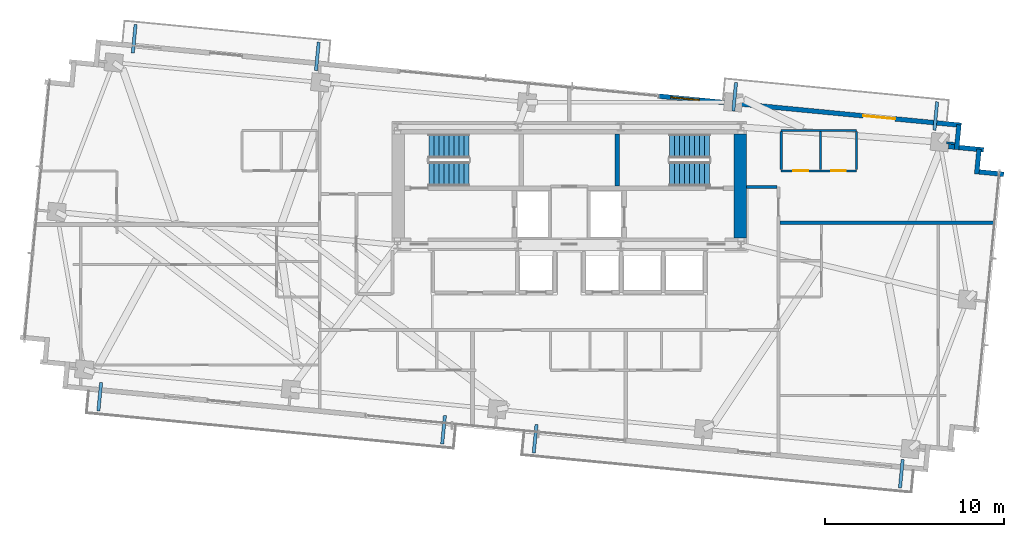
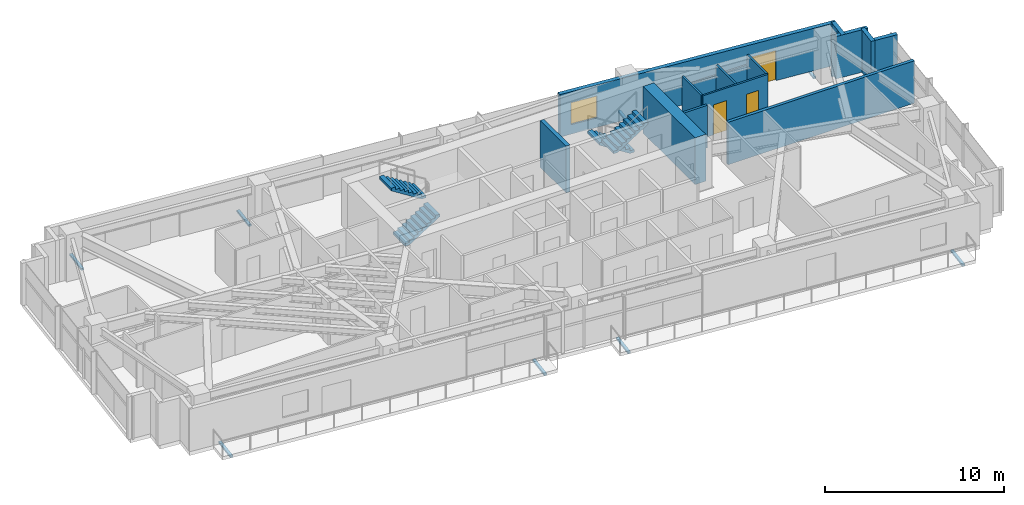
# One storey, part 18 of 20: 15 walls, 8 discrete accessories, 4 stair flights, 3 doors, 1 window, 4 openings, 2 elements without a shape of their own.
"""IFC4 building model written with IfcOpenShell, lengths in metres."""

import ifcopenshell
import ifcopenshell.guid

model = None  # the IFC model being written
_history = None  # IfcOwnerHistory: only IFC2X3 demands one
_inside = {}  # id of a spatial element -> (the spatial element, [elements in it])
_under = {}  # id of a project, library or spatial element -> (it, [spatial elements below it])
_declared = {}  # id of a project -> (the project, [libraries it declares])
_typed = {}  # id of a type object -> (the type object, [elements of that type])
_made_of = {}  # id of a material, layer set ... -> (it, [elements and type objects made of it])


def new_model(schema):
    """Start an empty IFC model of exactly this schema.

    Asked for "IFC4X3", IfcOpenShell would pick the latest addendum, in which some entities
    have other attributes; the version numbers below select the first issue.
    IFC2X3 requires an IfcOwnerHistory on every rooted entity: one is made here for all.
    """
    global model, _history
    if schema == "IFC4X3":
        model = ifcopenshell.file(schema_version=(4, 3, 0, 0))
    else:
        model = ifcopenshell.file(schema=schema)
    _inside.clear()
    _under.clear()
    _declared.clear()
    _typed.clear()
    _made_of.clear()
    _history = None
    if model.schema == "IFC2X3":
        org = make("IfcOrganization", Name="unknown")
        user = make(
            "IfcPersonAndOrganization",
            ThePerson=make("IfcPerson", FamilyName="unknown"),
            TheOrganization=org,
        )
        app = make(
            "IfcApplication",
            ApplicationDeveloper=org,
            Version="unknown",
            ApplicationFullName="unknown",
            ApplicationIdentifier="unknown",
        )
        _history = make(
            "IfcOwnerHistory",
            OwningUser=user,
            OwningApplication=app,
            ChangeAction="ADDED",
            CreationDate=0,
        )
    return model


def make(cls, **values):
    """One entity of the class cls with the attributes given. An attribute that is None is left unset."""
    return model.create_entity(
        cls, **{name: value for name, value in values.items() if value is not None}
    )


def rooted(cls, **values):
    """An entity with a GlobalId (a new one), such as an element, a storey or a relation."""
    return make(cls, GlobalId=ifcopenshell.guid.new(), OwnerHistory=_history, **values)


def si_unit(unit_type, name, prefix=None):
    """IfcSIUnit, for example si_unit("LENGTHUNIT", "METRE", prefix="MILLI")."""
    return make("IfcSIUnit", UnitType=unit_type, Prefix=prefix, Name=name)


def assignment(units):
    """IfcUnitAssignment: the units of a project."""
    return None if units is None else make("IfcUnitAssignment", Units=units)


def point(xyz):
    """IfcCartesianPoint."""
    return None if xyz is None else make("IfcCartesianPoint", Coordinates=xyz)


def direction(xyz):
    """IfcDirection."""
    return None if xyz is None else make("IfcDirection", DirectionRatios=xyz)


def frame(location, z_axis=None, x_axis=None):
    """IfcAxis2Placement3D, a coordinate frame: its origin and axes. An axis left out is left unset."""
    return make(
        "IfcAxis2Placement3D",
        Location=point(location),
        Axis=direction(z_axis),
        RefDirection=direction(x_axis),
    )


def frame_2d(location, x_axis=None):
    """IfcAxis2Placement2D, a coordinate frame in the plane: its origin and x axis."""
    return make(
        "IfcAxis2Placement2D", Location=point(location), RefDirection=direction(x_axis)
    )


def origin():
    """The frame at (0, 0, 0) with its axes left unset."""
    return frame((0.0, 0.0, 0.0))


def origin_2d():
    """The frame at (0, 0) in the plane with its x axis left unset."""
    return frame_2d((0.0, 0.0))


def place(relative_to, where):
    """IfcLocalPlacement: puts the frame where relative to a parent placement (None: the world)."""
    return make(
        "IfcLocalPlacement", PlacementRelTo=relative_to, RelativePlacement=where
    )


def context(
    kind, dimensions, precision=None, world=None, true_north=None, identifier=None
):
    """IfcGeometricRepresentationContext, for example the 3D "Model" context."""
    return make(
        "IfcGeometricRepresentationContext",
        ContextIdentifier=identifier,
        ContextType=kind,
        CoordinateSpaceDimension=dimensions,
        Precision=precision,
        WorldCoordinateSystem=world,
        TrueNorth=true_north,
    )


def subcontext(parent, identifier, kind, view, scale=None):
    """IfcGeometricRepresentationSubContext, for example "Body" below "Model"."""
    return make(
        "IfcGeometricRepresentationSubContext",
        ContextIdentifier=identifier,
        ContextType=kind,
        ParentContext=parent,
        TargetScale=scale,
        TargetView=view,
    )


def project(units=None, contexts=None):
    """IfcProject with its units and contexts."""
    return rooted(
        "IfcProject",
        Name="project",
        RepresentationContexts=contexts,
        UnitsInContext=assignment(units),
    )


def spatial(cls, under=None, at=None, **own):
    """A site, building, storey or space (cls), placed at a placement, below another one or the project."""
    s = rooted(cls, ObjectPlacement=at, **own)
    if under is not None:
        _under.setdefault(under.id(), (under, []))[1].append(s)
    return s


def polyline(points):
    """IfcPolyline through the points."""
    return make("IfcPolyline", Points=[point(p) for p in points])


def profile(cls, at=None, kind="AREA", **sizes):
    """A parametric profile (cls). Its sizes go by their IFC names, for example OverallWidth=200.0."""
    return make(cls, ProfileType=kind, Position=at, **sizes)


def rectangle(**sizes):
    """IfcRectangleProfileDef."""
    return profile("IfcRectangleProfileDef", **sizes)


def outline(outer, holes=None, kind="AREA"):
    """IfcArbitraryClosedProfileDef: a profile drawn as a closed curve; with holes, ...WithVoids."""
    if holes is None:
        return make("IfcArbitraryClosedProfileDef", ProfileType=kind, OuterCurve=outer)
    return make(
        "IfcArbitraryProfileDefWithVoids",
        ProfileType=kind,
        OuterCurve=outer,
        InnerCurves=holes,
    )


def extrude(swept, where, along, depth):
    """IfcExtrudedAreaSolid: the profile swept, set in the frame where, extruded along a direction by depth."""
    return make(
        "IfcExtrudedAreaSolid",
        SweptArea=swept,
        Position=where,
        ExtrudedDirection=direction(along),
        Depth=depth,
    )


def shape(context_of_items, identifier, shape_type, items):
    """IfcShapeRepresentation: the items that make up one representation, for example the "Body"."""
    return make(
        "IfcShapeRepresentation",
        ContextOfItems=context_of_items,
        RepresentationIdentifier=identifier,
        RepresentationType=shape_type,
        Items=items,
    )


def source(mapping_origin, context_of_items, identifier, shape_type, items):
    """IfcRepresentationMap: a shape defined once, which mapped items show again and again."""
    return make(
        "IfcRepresentationMap",
        MappingOrigin=mapping_origin,
        MappedRepresentation=shape(context_of_items, identifier, shape_type, items),
    )


def transform(
    local_origin,
    x_axis=None,
    y_axis=None,
    z_axis=None,
    scale=None,
    scale2=None,
    scale3=None,
    uniform=True,
):
    """IfcCartesianTransformationOperator3D, or its non-uniform kind. x_axis, y_axis, z_axis: its Axis1, 2, 3."""
    if uniform:
        return make(
            "IfcCartesianTransformationOperator3D",
            Axis1=direction(x_axis),
            Axis2=direction(y_axis),
            LocalOrigin=point(local_origin),
            Scale=scale,
            Axis3=direction(z_axis),
        )
    return make(
        "IfcCartesianTransformationOperator3DnonUniform",
        Axis1=direction(x_axis),
        Axis2=direction(y_axis),
        LocalOrigin=point(local_origin),
        Scale=scale,
        Axis3=direction(z_axis),
        Scale2=scale2,
        Scale3=scale3,
    )


def mapped(mapping_source, mapping_target):
    """IfcMappedItem: shows the shape of a source again, moved by a transform."""
    return make(
        "IfcMappedItem", MappingSource=mapping_source, MappingTarget=mapping_target
    )


def material(Name=None, Category=None):
    """IfcMaterial."""
    return make("IfcMaterial", Name=Name, Category=Category)


def layer(
    of_material, thickness, ventilated=None, Name=None, Category=None, Priority=None
):
    """IfcMaterialLayer: one layer of a wall or slab, of a material (None: an air gap)."""
    return make(
        "IfcMaterialLayer",
        Material=of_material,
        LayerThickness=thickness,
        IsVentilated=ventilated,
        Name=Name,
        Category=Category,
        Priority=Priority,
    )


def layer_set(layers, Name=None):
    """IfcMaterialLayerSet."""
    return make("IfcMaterialLayerSet", MaterialLayers=layers, LayerSetName=Name)


def made_of(thing, what):
    """Note that an element or type object is made of a material, layer set ...; save() writes the relation."""
    if what is not None:
        _made_of.setdefault(what.id(), (what, []))[1].append(thing)
    return thing


def type_object(cls, material=None, **own):
    """A type object (cls), such as IfcWallType, which elements share."""
    return made_of(rooted(cls, **own), material)


def type_shapes(of_type, sources):
    """Give a type object the sources (RepresentationMaps) that its elements show as mapped items."""
    of_type.RepresentationMaps = sources


def element(
    cls,
    number,
    at=None,
    inside=None,
    cuts=None,
    type_object=None,
    material=None,
    context=None,
    identifier="Body",
    shape_type=None,
    held_by="IfcProductDefinitionShape",
    body=None,
    shapes=None,
    **own,
):
    """One element of the class cls, such as IfcWall. Its Tag is "e" and its number.

    at: its placement. inside: the storey or other place that contains it. cuts: it is an
    opening in that element (IfcRelVoidsElement). A single representation is given by context,
    identifier, shape_type and body (its items); several are given by shapes. held_by: the class
    of the entity that holds the representations. save() writes the other relations.
    """
    e = rooted(cls, Tag="e%d" % number, ObjectPlacement=at, **own)
    if body is not None:
        shapes = [shape(context, identifier, shape_type, body)]
    if shapes is not None:
        e.Representation = make(held_by, Representations=shapes)
    if inside is not None:
        _inside.setdefault(inside.id(), (inside, []))[1].append(e)
    if cuts is not None:
        rooted(
            "IfcRelVoidsElement", RelatingBuildingElement=cuts, RelatedOpeningElement=e
        )
    if type_object is not None:
        _typed.setdefault(type_object.id(), (type_object, []))[1].append(e)
    return made_of(e, material)


def fill(opening, filler):
    """IfcRelFillsElement: the door or window that sits in an opening."""
    return rooted(
        "IfcRelFillsElement",
        RelatingOpeningElement=opening,
        RelatedBuildingElement=filler,
    )


def aggregate(whole, parts):
    """IfcRelAggregates: a whole, such as a stair, and the parts it consists of."""
    return rooted("IfcRelAggregates", RelatingObject=whole, RelatedObjects=parts)


def save(model, path):
    """Write the relations noted so far, then the file.

    IfcRelAggregates (storeys below a building ...), IfcRelContainedInSpatialStructure (elements
    in a storey), IfcRelDefinesByType, IfcRelAssociatesMaterial and IfcRelDeclares: one each for
    every whole, place, type object, material and project.
    """
    for whole, parts in _under.values():
        aggregate(whole, parts)
    for where, things in _inside.values():
        rooted(
            "IfcRelContainedInSpatialStructure",
            RelatedElements=things,
            RelatingStructure=where,
        )
    for kind, things in _typed.values():
        rooted("IfcRelDefinesByType", RelatedObjects=things, RelatingType=kind)
    for what, things in _made_of.values():
        rooted("IfcRelAssociatesMaterial", RelatedObjects=things, RelatingMaterial=what)
    for by, libraries in _declared.values():
        rooted("IfcRelDeclares", RelatingContext=by, RelatedDefinitions=libraries)
    model.write(path)


model = new_model("IFC4")

# Units and contexts
model_context = context("Model", 3, precision=1e-05, world=origin(), true_north=direction((0.0, 1.0)))
body_context = subcontext(model_context, "Body", "Model", "MODEL_VIEW")
ifc_project = project(units=[si_unit("LENGTHUNIT", "METRE"), si_unit("AREAUNIT", "SQUARE_METRE"), si_unit("VOLUMEUNIT", "CUBIC_METRE"), si_unit("PLANEANGLEUNIT", "RADIAN"), si_unit("MASSUNIT", "GRAM", prefix="KILO")], contexts=[model_context])

# Site, building, storey
site_placement = place(None, origin())
site = spatial("IfcSite", under=ifc_project, at=site_placement, CompositionType="ELEMENT")
building_placement = place(site_placement, origin())
building = spatial("IfcBuilding", under=site, at=building_placement, Name="Astriad Promenade Condominiums", CompositionType="ELEMENT")
storey_placement = place(building_placement, frame((0.0, 0.0, 159.800048828125)))
storey = spatial("IfcBuildingStorey", under=building, at=storey_placement, Name="L46", CompositionType="ELEMENT", Elevation=159.800048828125)

# Walls
ifc_material_1 = material(Name="Concrete C60/75", Category="concrete")
ifc_layer_1 = layer(ifc_material_1, 0.699951171875)
ifc_layer_set_1 = layer_set([ifc_layer_1], Name="Concrete C60/75")
wall_type_1 = type_object("IfcWallType", Name="CW-SHEAR-700", PredefinedType="SHEAR", material=ifc_layer_set_1)
wall_1_placement = place(storey_placement, frame((45.550048828125, 17.802001953125, 0.0), z_axis=(0.0, 0.0, 1.0), x_axis=(0.0, 1.0, 0.0)))
element("IfcWall", 1, at=wall_1_placement, inside=storey, type_object=wall_type_1, Name="CW-CORE-E-L46", PredefinedType="SHEAR", context=body_context, shape_type="SweptSolid", body=[
    extrude(rectangle(XDim=5.7958984375, YDim=0.699951171875, at=frame_2d((2.89794921875, 0.0))), origin(), (0.0, 0.0, 1.0), 3.199951171875),
])
ifc_material_2 = material(Name="Concrete C50/60", Category="concrete")
ifc_layer_2 = layer(ifc_material_2, 0.25)
ifc_layer_set_2 = layer_set([ifc_layer_2], Name="Concrete C50/60")
wall_type_2 = type_object("IfcWallType", Name="WALL-CORE-INT-250", PredefinedType="SOLIDWALL", material=ifc_layer_set_2)
wall_2_placement = place(storey_placement, frame((38.675048828125, 20.701904296875, 0.0), z_axis=(0.0, 0.0, 1.0), x_axis=(0.0, 1.0, 0.0)))
element("IfcWall", 2, at=wall_2_placement, inside=storey, type_object=wall_type_2, Name="CW-ST2-W-L46", PredefinedType="SOLIDWALL", context=body_context, shape_type="SweptSolid", body=[
    extrude(rectangle(XDim=2.89599609375, YDim=0.25, at=frame_2d((1.447998046875, 0.0))), origin(), (0.0, 0.0, 1.0), 3.199951171875),
])
ifc_material_3 = material(Name="Fire-Rated Gypsum Partition")
ifc_layer_3 = layer(ifc_material_3, 0.159912109375)
ifc_layer_set_3 = layer_set([ifc_layer_3], Name="Fire-Rated Gypsum Partition")
wall_type_3 = type_object("IfcWallType", Name="WALL-CORR-160", PredefinedType="PARTITIONING", material=ifc_layer_set_3)
wall_3_placement = place(storey_placement, frame((45.902099609375, 20.64990234375, 0.0), z_axis=(0.0, 0.0, 1.0), x_axis=(1.0, 0.0, 0.0)))
element("IfcWall", 3, at=wall_3_placement, inside=storey, type_object=wall_type_3, Name="PT-Z3E-N-L46", PredefinedType="PARTITIONING", context=body_context, shape_type="SweptSolid", body=[
    extrude(rectangle(XDim=1.7158203125, YDim=0.159912109375, at=frame_2d((0.85791015625, 0.0))), origin(), (0.0, 0.0, 1.0), 2.89990234375),
])
ifc_material_4 = material(Name="Acoustic Double-Stud Gypsum Partition")
ifc_layer_4 = layer(ifc_material_4, 0.199951171875)
ifc_layer_set_4 = layer_set([ifc_layer_4], Name="Acoustic Double-Stud Gypsum Partition")
wall_type_4 = type_object("IfcWallType", Name="WALL-DEMISING-200", PredefinedType="PARTITIONING", material=ifc_layer_set_4)
wall_4_placement = place(storey_placement, frame((47.781982421875, 18.64990234375, 0.0), z_axis=(0.0, 0.0, 1.0), x_axis=(1.0, 0.0, 0.0)))
element("IfcWall", 4, at=wall_4_placement, inside=storey, type_object=wall_type_4, Name="PT-DEM-EE-L46", PredefinedType="PARTITIONING", context=body_context, shape_type="SweptSolid", body=[
    extrude(rectangle(XDim=12.039794921875, YDim=0.199951171875, at=frame_2d((6.02001953125, 0.0))), origin(), (0.0, 0.0, 1.0), 2.89990234375),
])

# Wall, openings, door, window
ifc_material_5 = material(Name="Precast concrete C50/60", Category="concrete")
ifc_layer_5 = layer(ifc_material_5, 0.260009765625)
ifc_layer_set_5 = layer_set([ifc_layer_5], Name="Precast concrete C50/60")
wall_type_5 = type_object("IfcWallType", Name="WALL-EXT-TWR-260", PredefinedType="STANDARD", material=ifc_layer_set_5)
wall_5_placement = place(storey_placement, frame((40.9833984375, 25.726806640625, 0.0), z_axis=(0.0, 0.0, 1.0), x_axis=(0.995395844771, -0.095849424686, 0.0)))
wall_5 = element("IfcWall", 5, at=wall_5_placement, inside=storey, type_object=wall_type_5, Name="W-EXT-L46-N2", PredefinedType="STANDARD", context=body_context, shape_type="SweptSolid", body=[
    extrude(rectangle(XDim=17.009765625, YDim=0.260009765625, at=frame_2d((8.5048828125, 0.0))), origin(), (0.0, 0.0, 1.0), 2.89990234375),
])
opening_1_placement = place(wall_5_placement, frame((11.5, 0.0, 0.0)))
opening_1 = element("IfcOpeningElement", 6, at=opening_1_placement, cuts=wall_5, Name="Opening BD-1822-SLD", PredefinedType="OPENING", context=body_context, shape_type="SweptSolid", body=[
    extrude(rectangle(XDim=1.800048828125, YDim=2.06005859375, at=frame_2d((0.89990234375, 1.030029296875))), frame((0.0, 0.139892578125, 0.0), z_axis=(0.0, -1.0, 0.0), x_axis=(1.0, 0.0, 0.0)), (0.0, 0.0, 1.0), 0.280029296875),
])
opening_2_placement = place(wall_5_placement, frame((0.699951171875, 0.0, 0.64990234375)))
opening_2 = element("IfcOpeningElement", 7, at=opening_2_placement, cuts=wall_5, Name="Opening WIN-TWR-1620", PredefinedType="OPENING", context=body_context, shape_type="SweptSolid", body=[
    extrude(rectangle(XDim=1.60009765625, YDim=1.5, at=frame_2d((0.800048828125, 0.75))), frame((0.0, 0.139892578125, 0.0), z_axis=(0.0, -1.0, 0.0), x_axis=(1.0, 0.0, 0.0)), (0.0, 0.0, 1.0), 0.280029296875),
])
ifc_material_6 = material(Name="Thermally Broken Aluminium Sliding Balcony Door", Category="aluminium")
door_type_1 = type_object("IfcDoorType", Name="BD-1822-SLD", OperationType="NOTDEFINED", PredefinedType="DOOR", material=ifc_material_6)
shared_shape_1 = source(origin(), body_context, "Body", "SweptSolid", [
    extrude(rectangle(XDim=1.800048828125, YDim=2.06005859375, at=frame_2d((0.89990234375, 1.030029296875))), frame((0.0, 0.02490234375, 0.0), z_axis=(0.0, -1.0, 0.0), x_axis=(1.0, 0.0, 0.0)), (0.0, 0.0, 1.0), 0.050048828125),
])
type_shapes(door_type_1, [shared_shape_1])
door_1_placement = place(opening_1_placement, origin())
door_1 = element("IfcDoor", 8, at=door_1_placement, inside=storey, type_object=door_type_1, Name="BD-L46-NE", OperationType="SLIDING_TO_RIGHT", OverallHeight=2.06005859375, OverallWidth=1.800048828125, PredefinedType="DOOR", context=body_context, shape_type="MappedRepresentation", body=[
    mapped(shared_shape_1, transform((0.0, 0.0, 0.0), scale=1.0)),
])
fill(opening_1, door_1)
ifc_material_7 = material(Name="Dark Tinted Triple-Glazed Aluminium Window", Category="aluminium")
window_type = type_object("IfcWindowType", Name="WIN-TWR-1620", PartitioningType="SINGLE_PANEL", PredefinedType="WINDOW", material=ifc_material_7)
shared_shape_2 = source(origin(), body_context, "Body", "SweptSolid", [
    extrude(rectangle(XDim=1.60009765625, YDim=1.5, at=frame_2d((0.800048828125, 0.75))), frame((0.0, 0.030029296875, 0.0), z_axis=(0.0, -1.0, 0.0), x_axis=(1.0, 0.0, 0.0)), (0.0, 0.0, 1.0), 0.06005859375),
])
type_shapes(window_type, [shared_shape_2])
window_placement = place(opening_2_placement, origin())
window = element("IfcWindow", 9, at=window_placement, inside=storey, type_object=window_type, Name="WIN-L46-NE", OverallHeight=1.5, OverallWidth=1.60009765625, PartitioningType="SINGLE_PANEL", PredefinedType="WINDOW", context=body_context, shape_type="MappedRepresentation", body=[
    mapped(shared_shape_2, transform((0.0, 0.0, 0.0), scale=1.0)),
])
fill(opening_2, window)

# Walls
wall_6_placement = place(storey_placement, frame((57.787109375, 24.123779296875, 0.0), z_axis=(0.0, 0.0, 1.0), x_axis=(-0.095915846097, -0.995389446633, 0.0)))
element("IfcWall", 10, at=wall_6_placement, inside=storey, type_object=wall_type_5, Name="W-SER-L46-09", PredefinedType="STANDARD", context=body_context, shape_type="SweptSolid", body=[
    extrude(rectangle(XDim=1.394775390625, YDim=0.260009765625, at=frame_2d((0.697265625, 0.0))), origin(), (0.0, 0.0, 1.0), 2.89990234375),
])
wall_7_placement = place(storey_placement, frame((57.199951171875, 22.909423828125, 0.0), z_axis=(0.0, 0.0, 1.0), x_axis=(0.995401789159, -0.095787672171, 0.0)))
element("IfcWall", 11, at=wall_7_placement, inside=storey, type_object=wall_type_5, Name="W-SER-L46-10", PredefinedType="STANDARD", context=body_context, shape_type="SweptSolid", body=[
    extrude(rectangle(XDim=1.977783203125, YDim=0.260009765625, at=frame_2d((0.98876953125, 0.0))), origin(), (0.0, 0.0, 1.0), 2.89990234375),
])
for number, where, z_axis, x_axis, name in (
    (12, (58.91162109375, 22.759765625, 0.0), (0.0, 0.0, 1.0), (-0.096072523012, -0.995374336781, 0.0), "W-SER-L46-11"),
    (13, (58.904541015625, 21.489501953125, 0.0), (0.0, 0.0, 1.0), (0.995391056452, -0.09589913835, 0.0), "W-SER-L46-12"),
):
    element("IfcWall", number, at=place(storey_placement, frame(where, z_axis=z_axis, x_axis=x_axis)), inside=storey, type_object=wall_type_5, Name=name, PredefinedType="STANDARD", context=body_context, shape_type="SweptSolid", body=[
        extrude(rectangle(XDim=1.39501953125, YDim=0.260009765625, at=frame_2d((0.697509765625, 0.0))), origin(), (0.0, 0.0, 1.0), 2.89990234375),
    ])

# Wall, openings, doors
ifc_material_8 = material(Name="Acoustic Metal-Stud Gypsum Partition")
ifc_layer_6 = layer(ifc_material_8, 0.1201171875)
ifc_layer_set_6 = layer_set([ifc_layer_6], Name="Acoustic Metal-Stud Gypsum Partition")
wall_type_6 = type_object("IfcWallType", Name="WALL-PART-120", PredefinedType="PARTITIONING", material=ifc_layer_set_6)
wall_8_placement = place(storey_placement, frame((47.85009765625, 21.550048828125, 0.0), z_axis=(0.0, 0.0, 1.0), x_axis=(1.0, 0.0, 0.0)))
wall_8 = element("IfcWall", 14, at=wall_8_placement, inside=storey, type_object=wall_type_6, Name="PT-L46-E2-PH", PredefinedType="PARTITIONING", context=body_context, shape_type="SweptSolid", body=[
    extrude(rectangle(XDim=4.199951171875, YDim=0.1201171875, at=frame_2d((2.10009765625, 0.0))), origin(), (0.0, 0.0, 1.0), 2.89990234375),
])
opening_3_placement = place(wall_8_placement, frame((0.675048828125, 0.0, 0.0)))
opening_3 = element("IfcOpeningElement", 15, at=opening_3_placement, cuts=wall_8, Name="Opening D-INT-085", PredefinedType="OPENING", context=body_context, shape_type="SweptSolid", body=[
    extrude(rectangle(XDim=0.85009765625, YDim=2.050048828125, at=frame_2d((0.425048828125, 1.02490234375))), frame((0.0, 0.070068359375, 0.0), z_axis=(0.0, -1.0, 0.0), x_axis=(1.0, 0.0, 0.0)), (0.0, 0.0, 1.0), 0.14013671875),
])
opening_4_placement = place(wall_8_placement, frame((2.800048828125, 0.0, 0.0)))
opening_4 = element("IfcOpeningElement", 16, at=opening_4_placement, cuts=wall_8, Name="Opening D-WET-080", PredefinedType="OPENING", context=body_context, shape_type="SweptSolid", body=[
    extrude(rectangle(XDim=0.800048828125, YDim=2.02001953125, at=frame_2d((0.39990234375, 1.010009765625))), frame((0.0, 0.070068359375, 0.0), z_axis=(0.0, -1.0, 0.0), x_axis=(1.0, 0.0, 0.0)), (0.0, 0.0, 1.0), 0.14013671875),
])
ifc_material_9 = material(Name="Moisture-Resistant Timber Bathroom Door", Category="wood")
door_type_2 = type_object("IfcDoorType", Name="D-WET-080", OperationType="NOTDEFINED", PredefinedType="DOOR", material=ifc_material_9)
shared_shape_3 = source(origin(), body_context, "Body", "SweptSolid", [
    extrude(rectangle(XDim=0.800048828125, YDim=2.02001953125, at=frame_2d((0.39990234375, 1.010009765625))), frame((0.0, 0.02490234375, 0.0), z_axis=(0.0, -1.0, 0.0), x_axis=(1.0, 0.0, 0.0)), (0.0, 0.0, 1.0), 0.050048828125),
])
type_shapes(door_type_2, [shared_shape_3])
door_2_placement = place(opening_4_placement, origin())
door_2 = element("IfcDoor", 17, at=door_2_placement, inside=storey, type_object=door_type_2, Name="D-BTH-L46-E2", OperationType="SINGLE_SWING_RIGHT", OverallHeight=2.02001953125, OverallWidth=0.800048828125, PredefinedType="DOOR", context=body_context, shape_type="MappedRepresentation", body=[
    mapped(shared_shape_3, transform((0.0, 0.0, 0.0), scale=1.0)),
])
fill(opening_4, door_2)
ifc_material_10 = material(Name="Painted Solid-Core Timber Room Door", Category="wood")
door_type_3 = type_object("IfcDoorType", Name="D-INT-085", OperationType="NOTDEFINED", PredefinedType="DOOR", material=ifc_material_10)
shared_shape_4 = source(origin(), body_context, "Body", "SweptSolid", [
    extrude(rectangle(XDim=0.85009765625, YDim=2.050048828125, at=frame_2d((0.425048828125, 1.02490234375))), frame((0.0, 0.02490234375, 0.0), z_axis=(0.0, -1.0, 0.0), x_axis=(1.0, 0.0, 0.0)), (0.0, 0.0, 1.0), 0.050048828125),
])
type_shapes(door_type_3, [shared_shape_4])
door_3_placement = place(opening_3_placement, origin())
door_3 = element("IfcDoor", 18, at=door_3_placement, inside=storey, type_object=door_type_3, Name="D-KIT-L46-E2", OperationType="SINGLE_SWING_LEFT", OverallHeight=2.050048828125, OverallWidth=0.85009765625, PredefinedType="DOOR", context=body_context, shape_type="MappedRepresentation", body=[
    mapped(shared_shape_4, transform((0.0, 0.0, 0.0), scale=1.0)),
])
fill(opening_3, door_3)

# Walls
wall_9_placement = place(storey_placement, frame((47.85009765625, 23.800048828125, 0.0), z_axis=(0.0, 0.0, 1.0), x_axis=(1.0, 0.0, 0.0)))
element("IfcWall", 19, at=wall_9_placement, inside=storey, type_object=wall_type_6, Name="PT-L46-E2-PHN", PredefinedType="PARTITIONING", context=body_context, shape_type="SweptSolid", body=[
    extrude(rectangle(XDim=4.199951171875, YDim=0.1201171875, at=frame_2d((2.10009765625, 0.0))), origin(), (0.0, 0.0, 1.0), 2.175537109375),
])
for number, where, z_axis, x_axis, name in (
    (20, (47.85009765625, 21.612060546875, 0.0), (0.0, 0.0, 1.0), (0.0, 1.0, 0.0), "PT-L46-E2-PK1"),
    (21, (50.050048828125, 21.612060546875, 0.0), (0.0, 0.0, 1.0), (0.0, 1.0, 0.0), "PT-L46-E2-PK2"),
    (22, (52.050048828125, 21.612060546875, 0.0), (0.0, 0.0, 1.0), (0.0, 1.0, 0.0), "PT-L46-E2-PK3"),
):
    element("IfcWall", number, at=place(storey_placement, frame(where, z_axis=z_axis, x_axis=x_axis)), inside=storey, type_object=wall_type_6, Name=name, PredefinedType="PARTITIONING", context=body_context, shape_type="SweptSolid", body=[
        extrude(rectangle(XDim=2.1259765625, YDim=0.1201171875, at=frame_2d((1.06298828125, 0.0))), origin(), (0.0, 0.0, 1.0), 2.89990234375),
    ])
wall_10_placement = place(storey_placement, frame((57.09765625, 23.120361328125, 0.0), z_axis=(0.0, 0.0, 1.0), x_axis=(0.995384576284, -0.09596637586, 0.0)))
element("IfcWall", 23, at=wall_10_placement, inside=storey, type_object=wall_type_6, Name="PT-PIL-L46-PC10-17", PredefinedType="PARTITIONING", context=body_context, shape_type="SweptSolid", body=[
    extrude(rectangle(XDim=0.4580078125, YDim=0.1201171875, at=frame_2d((0.22900390625, 0.0))), origin(), (0.0, 0.0, 1.0), 2.89990234375),
])

# Stair, stair flights
stair_type = type_object("IfcStairType", Name="STR-CORE-1350", PredefinedType="HALF_TURN_STAIR", material=ifc_material_2)
stair_1_placement = place(storey_placement, origin())
stair_1 = element("IfcStair", 24, at=stair_1_placement, inside=storey, type_object=stair_type, Name="L46 Enclosed Core Exit Stair ST-1", PredefinedType="HALF_TURN_STAIR")
stair_flight_type = type_object("IfcStairFlightType", Name="SFL-CORE-1350", PredefinedType="STRAIGHT", material=ifc_material_2)
shared_shape_5 = source(origin(), body_context, "Body", "SweptSolid", [
    extrude(outline(polyline([(0.0, 0.0), (0.0, 0.177734375), (0.280029296875, 0.177734375), (0.280029296875, 0.35546875), (0.56005859375, 0.35546875), (0.56005859375, 0.533447265625), (0.840087890625, 0.533447265625), (0.840087890625, 0.711181640625), (1.1201171875, 0.711181640625), (1.1201171875, 0.888916015625), (1.39990234375, 0.888916015625), (1.39990234375, 1.066650390625), (1.679931640625, 1.066650390625), (1.679931640625, 1.244384765625), (1.9599609375, 1.244384765625), (1.9599609375, 1.422119140625), (2.239990234375, 1.422119140625), (2.239990234375, 1.60009765625), (2.239990234375, 1.24462890625), (0.27978515625, 0.0), (0.0, 0.0)])), frame((0.0, 0.675048828125, 0.0), z_axis=(0.0, -1.0, 0.0), x_axis=(1.0, 0.0, 0.0)), (0.0, 0.0, 1.0), 1.35009765625),
])
type_shapes(stair_flight_type, [shared_shape_5])
stair_flight_1_placement = place(storey_placement, frame((28.14990234375, 21.375, 0.0), z_axis=(0.0, 0.0, 1.0), x_axis=(1.0, 0.0, 0.0)))
stair_flight_1 = element("IfcStairFlight", 25, at=stair_flight_1_placement, type_object=stair_flight_type, Name="ST-1 flight 1", NumberOfRisers=9, NumberOfTreads=8, PredefinedType="STRAIGHT", RiserHeight=0.177777778, TreadLength=0.28, context=body_context, shape_type="MappedRepresentation", body=[
    mapped(shared_shape_5, transform((0.0, 0.0, 0.0), scale=1.0)),
])
stair_flight_2_placement = place(storey_placement, frame((30.389892578125, 22.925048828125, 1.599853515625), z_axis=(0.0, 0.0, 1.0), x_axis=(-1.0, 0.0, 0.0)))
stair_flight_2 = element("IfcStairFlight", 26, at=stair_flight_2_placement, type_object=stair_flight_type, Name="ST-1 flight 2", NumberOfRisers=9, NumberOfTreads=8, PredefinedType="STRAIGHT", RiserHeight=0.177777778, TreadLength=0.28, context=body_context, shape_type="MappedRepresentation", body=[
    mapped(shared_shape_5, transform((0.0, 0.0, 0.0), scale=1.0)),
])
aggregate(stair_1, [stair_flight_1, stair_flight_2])

stair_2_placement = place(storey_placement, origin())
stair_2 = element("IfcStair", 27, at=stair_2_placement, inside=storey, type_object=stair_type, Name="L46 Enclosed Core Exit Stair ST-2", PredefinedType="HALF_TURN_STAIR")
stair_flight_3_placement = place(storey_placement, frame((43.85009765625, 22.925048828125, 0.0), z_axis=(0.0, 0.0, 1.0), x_axis=(-1.0, 0.0, 0.0)))
stair_flight_3 = element("IfcStairFlight", 28, at=stair_flight_3_placement, type_object=stair_flight_type, Name="ST-2 flight 1", NumberOfRisers=9, NumberOfTreads=8, PredefinedType="STRAIGHT", RiserHeight=0.177777778, TreadLength=0.28, context=body_context, shape_type="MappedRepresentation", body=[
    mapped(shared_shape_5, transform((0.0, 0.0, 0.0), scale=1.0)),
])
stair_flight_4_placement = place(storey_placement, frame((41.610107421875, 21.375, 1.599853515625), z_axis=(0.0, 0.0, 1.0), x_axis=(1.0, 0.0, 0.0)))
stair_flight_4 = element("IfcStairFlight", 29, at=stair_flight_4_placement, type_object=stair_flight_type, Name="ST-2 flight 2", NumberOfRisers=9, NumberOfTreads=8, PredefinedType="STRAIGHT", RiserHeight=0.177777778, TreadLength=0.28, context=body_context, shape_type="MappedRepresentation", body=[
    mapped(shared_shape_5, transform((0.0, 0.0, 0.0), scale=1.0)),
])
aggregate(stair_2, [stair_flight_3, stair_flight_4])

# Discrete accessories
ifc_material_11 = material(Name="Steel ASTM A572 Grade 50", Category="steel")
discrete_accessory_type = type_object("IfcDiscreteAccessoryType", Name="STEEL BALCONY OUTRIGGER BRACKET", PredefinedType="BRACKET", material=ifc_material_11)
shared_shape_6 = source(origin(), body_context, "Body", "SweptSolid", [
    extrude(rectangle(XDim=1.60009765625, YDim=0.179931640625, at=origin_2d()), origin(), (0.0, 0.0, 1.0), 0.1220703125),
])
type_shapes(discrete_accessory_type, [shared_shape_6])
for number, where, z_axis, x_axis, name in (
    (30, (9.7529296875, 8.922607421875, -0.340087890625), (0.0, 0.0, 1.0), (-0.09584575252, -0.995396198367, 0.0), "Balcony Outrigger Bracket BAL-L46-SW-A"),
    (31, (28.972900390625, 7.072021484375, -0.340087890625), (0.0, 0.0, 1.0), (-0.09584575252, -0.995396198367, 0.0), "Balcony Outrigger Bracket BAL-L46-SW-B"),
    (32, (34.09423828125, 6.578857421875, -0.340087890625), (0.0, 0.0, 1.0), (-0.09584575252, -0.995396198367, 0.0), "Balcony Outrigger Bracket BAL-L46-SE-A"),
    (33, (54.565673828125, 4.607666015625, -0.340087890625), (0.0, 0.0, 1.0), (-0.09584575252, -0.995396198367, 0.0), "Balcony Outrigger Bracket BAL-L46-SE-B"),
    (34, (11.679443359375, 28.93017578125, -0.340087890625), (0.0, 0.0, 1.0), (0.09584575252, 0.995396198367, 0.0), "Balcony Outrigger Bracket BAL-L46-NW-A"),
    (35, (21.91796875, 27.9443359375, -0.340087890625), (0.0, 0.0, 1.0), (0.09584575252, 0.995396198367, 0.0), "Balcony Outrigger Bracket BAL-L46-NW-B"),
    (36, (45.25, 25.69775390625, -0.340087890625), (0.0, 0.0, 1.0), (0.09584575252, 0.995396198367, 0.0), "Balcony Outrigger Bracket BAL-L46-NE-A"),
    (37, (56.4921875, 24.615234375, -0.340087890625), (0.0, 0.0, 1.0), (0.09584575252, 0.995396198367, 0.0), "Balcony Outrigger Bracket BAL-L46-NE-B"),
):
    element("IfcDiscreteAccessory", number, at=place(storey_placement, frame(where, z_axis=z_axis, x_axis=x_axis)), inside=storey, type_object=discrete_accessory_type, Name=name, PredefinedType="BRACKET", context=body_context, shape_type="MappedRepresentation", body=[
        mapped(shared_shape_6, transform((0.0, 0.0, 0.0), scale=1.0)),
    ])

save(model, "model.ifc")
